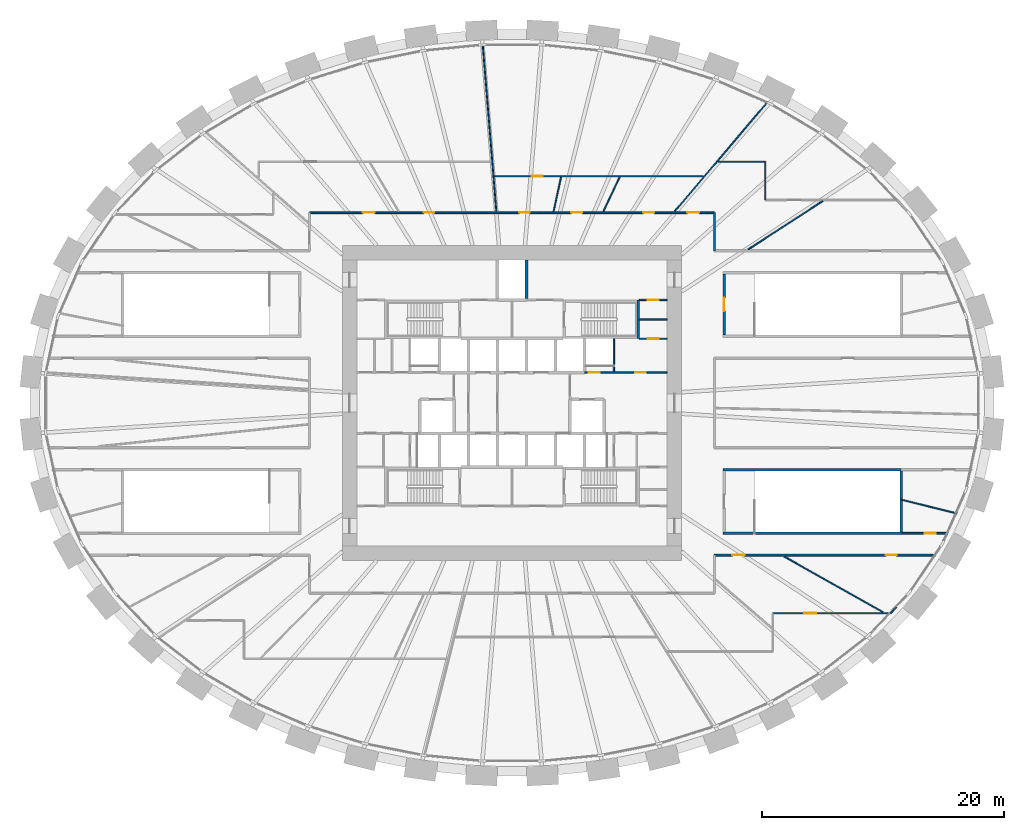
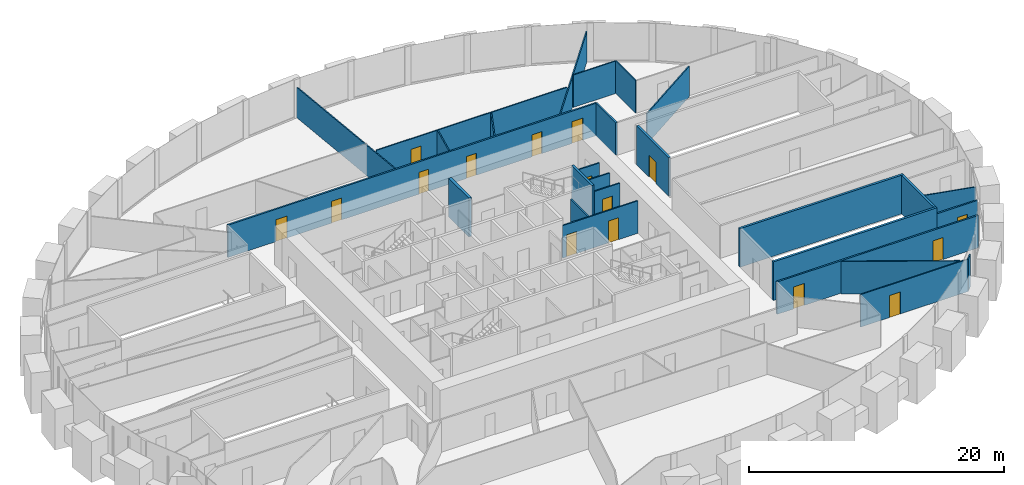
# One storey, part 10 of 12: 27 walls, 16 doors, 16 openings.
"""IFC4 building model written with IfcOpenShell, lengths in metres."""

import ifcopenshell
import ifcopenshell.guid

model = None  # the IFC model being written
_history = None  # IfcOwnerHistory: only IFC2X3 demands one
_inside = {}  # id of a spatial element -> (the spatial element, [elements in it])
_under = {}  # id of a project, library or spatial element -> (it, [spatial elements below it])
_declared = {}  # id of a project -> (the project, [libraries it declares])
_typed = {}  # id of a type object -> (the type object, [elements of that type])
_made_of = {}  # id of a material, layer set ... -> (it, [elements and type objects made of it])


def new_model(schema):
    """Start an empty IFC model of exactly this schema.

    Asked for "IFC4X3", IfcOpenShell would pick the latest addendum, in which some entities
    have other attributes; the version numbers below select the first issue.
    IFC2X3 requires an IfcOwnerHistory on every rooted entity: one is made here for all.
    """
    global model, _history
    if schema == "IFC4X3":
        model = ifcopenshell.file(schema_version=(4, 3, 0, 0))
    else:
        model = ifcopenshell.file(schema=schema)
    _inside.clear()
    _under.clear()
    _declared.clear()
    _typed.clear()
    _made_of.clear()
    _history = None
    if model.schema == "IFC2X3":
        org = make("IfcOrganization", Name="unknown")
        user = make(
            "IfcPersonAndOrganization",
            ThePerson=make("IfcPerson", FamilyName="unknown"),
            TheOrganization=org,
        )
        app = make(
            "IfcApplication",
            ApplicationDeveloper=org,
            Version="unknown",
            ApplicationFullName="unknown",
            ApplicationIdentifier="unknown",
        )
        _history = make(
            "IfcOwnerHistory",
            OwningUser=user,
            OwningApplication=app,
            ChangeAction="ADDED",
            CreationDate=0,
        )
    return model


def make(cls, **values):
    """One entity of the class cls with the attributes given. An attribute that is None is left unset."""
    return model.create_entity(
        cls, **{name: value for name, value in values.items() if value is not None}
    )


def rooted(cls, **values):
    """An entity with a GlobalId (a new one), such as an element, a storey or a relation."""
    return make(cls, GlobalId=ifcopenshell.guid.new(), OwnerHistory=_history, **values)


def si_unit(unit_type, name, prefix=None):
    """IfcSIUnit, for example si_unit("LENGTHUNIT", "METRE", prefix="MILLI")."""
    return make("IfcSIUnit", UnitType=unit_type, Prefix=prefix, Name=name)


def assignment(units):
    """IfcUnitAssignment: the units of a project."""
    return None if units is None else make("IfcUnitAssignment", Units=units)


def point(xyz):
    """IfcCartesianPoint."""
    return None if xyz is None else make("IfcCartesianPoint", Coordinates=xyz)


def direction(xyz):
    """IfcDirection."""
    return None if xyz is None else make("IfcDirection", DirectionRatios=xyz)


def frame(location, z_axis=None, x_axis=None):
    """IfcAxis2Placement3D, a coordinate frame: its origin and axes. An axis left out is left unset."""
    return make(
        "IfcAxis2Placement3D",
        Location=point(location),
        Axis=direction(z_axis),
        RefDirection=direction(x_axis),
    )


def frame_2d(location, x_axis=None):
    """IfcAxis2Placement2D, a coordinate frame in the plane: its origin and x axis."""
    return make(
        "IfcAxis2Placement2D", Location=point(location), RefDirection=direction(x_axis)
    )


def origin():
    """The frame at (0, 0, 0) with its axes left unset."""
    return frame((0.0, 0.0, 0.0))


def place(relative_to, where):
    """IfcLocalPlacement: puts the frame where relative to a parent placement (None: the world)."""
    return make(
        "IfcLocalPlacement", PlacementRelTo=relative_to, RelativePlacement=where
    )


def context(
    kind, dimensions, precision=None, world=None, true_north=None, identifier=None
):
    """IfcGeometricRepresentationContext, for example the 3D "Model" context."""
    return make(
        "IfcGeometricRepresentationContext",
        ContextIdentifier=identifier,
        ContextType=kind,
        CoordinateSpaceDimension=dimensions,
        Precision=precision,
        WorldCoordinateSystem=world,
        TrueNorth=true_north,
    )


def subcontext(parent, identifier, kind, view, scale=None):
    """IfcGeometricRepresentationSubContext, for example "Body" below "Model"."""
    return make(
        "IfcGeometricRepresentationSubContext",
        ContextIdentifier=identifier,
        ContextType=kind,
        ParentContext=parent,
        TargetScale=scale,
        TargetView=view,
    )


def project(units=None, contexts=None):
    """IfcProject with its units and contexts."""
    return rooted(
        "IfcProject",
        Name="project",
        RepresentationContexts=contexts,
        UnitsInContext=assignment(units),
    )


def spatial(cls, under=None, at=None, **own):
    """A site, building, storey or space (cls), placed at a placement, below another one or the project."""
    s = rooted(cls, ObjectPlacement=at, **own)
    if under is not None:
        _under.setdefault(under.id(), (under, []))[1].append(s)
    return s


def profile(cls, at=None, kind="AREA", **sizes):
    """A parametric profile (cls). Its sizes go by their IFC names, for example OverallWidth=200.0."""
    return make(cls, ProfileType=kind, Position=at, **sizes)


def rectangle(**sizes):
    """IfcRectangleProfileDef."""
    return profile("IfcRectangleProfileDef", **sizes)


def extrude(swept, where, along, depth):
    """IfcExtrudedAreaSolid: the profile swept, set in the frame where, extruded along a direction by depth."""
    return make(
        "IfcExtrudedAreaSolid",
        SweptArea=swept,
        Position=where,
        ExtrudedDirection=direction(along),
        Depth=depth,
    )


def shape(context_of_items, identifier, shape_type, items):
    """IfcShapeRepresentation: the items that make up one representation, for example the "Body"."""
    return make(
        "IfcShapeRepresentation",
        ContextOfItems=context_of_items,
        RepresentationIdentifier=identifier,
        RepresentationType=shape_type,
        Items=items,
    )


def source(mapping_origin, context_of_items, identifier, shape_type, items):
    """IfcRepresentationMap: a shape defined once, which mapped items show again and again."""
    return make(
        "IfcRepresentationMap",
        MappingOrigin=mapping_origin,
        MappedRepresentation=shape(context_of_items, identifier, shape_type, items),
    )


def transform(
    local_origin,
    x_axis=None,
    y_axis=None,
    z_axis=None,
    scale=None,
    scale2=None,
    scale3=None,
    uniform=True,
):
    """IfcCartesianTransformationOperator3D, or its non-uniform kind. x_axis, y_axis, z_axis: its Axis1, 2, 3."""
    if uniform:
        return make(
            "IfcCartesianTransformationOperator3D",
            Axis1=direction(x_axis),
            Axis2=direction(y_axis),
            LocalOrigin=point(local_origin),
            Scale=scale,
            Axis3=direction(z_axis),
        )
    return make(
        "IfcCartesianTransformationOperator3DnonUniform",
        Axis1=direction(x_axis),
        Axis2=direction(y_axis),
        LocalOrigin=point(local_origin),
        Scale=scale,
        Axis3=direction(z_axis),
        Scale2=scale2,
        Scale3=scale3,
    )


def mapped(mapping_source, mapping_target):
    """IfcMappedItem: shows the shape of a source again, moved by a transform."""
    return make(
        "IfcMappedItem", MappingSource=mapping_source, MappingTarget=mapping_target
    )


def material(Name=None, Category=None):
    """IfcMaterial."""
    return make("IfcMaterial", Name=Name, Category=Category)


def layer(
    of_material, thickness, ventilated=None, Name=None, Category=None, Priority=None
):
    """IfcMaterialLayer: one layer of a wall or slab, of a material (None: an air gap)."""
    return make(
        "IfcMaterialLayer",
        Material=of_material,
        LayerThickness=thickness,
        IsVentilated=ventilated,
        Name=Name,
        Category=Category,
        Priority=Priority,
    )


def layer_set(layers, Name=None):
    """IfcMaterialLayerSet."""
    return make("IfcMaterialLayerSet", MaterialLayers=layers, LayerSetName=Name)


def made_of(thing, what):
    """Note that an element or type object is made of a material, layer set ...; save() writes the relation."""
    if what is not None:
        _made_of.setdefault(what.id(), (what, []))[1].append(thing)
    return thing


def type_object(cls, material=None, **own):
    """A type object (cls), such as IfcWallType, which elements share."""
    return made_of(rooted(cls, **own), material)


def element(
    cls,
    number,
    at=None,
    inside=None,
    cuts=None,
    type_object=None,
    material=None,
    context=None,
    identifier="Body",
    shape_type=None,
    held_by="IfcProductDefinitionShape",
    body=None,
    shapes=None,
    **own,
):
    """One element of the class cls, such as IfcWall. Its Tag is "e" and its number.

    at: its placement. inside: the storey or other place that contains it. cuts: it is an
    opening in that element (IfcRelVoidsElement). A single representation is given by context,
    identifier, shape_type and body (its items); several are given by shapes. held_by: the class
    of the entity that holds the representations. save() writes the other relations.
    """
    e = rooted(cls, Tag="e%d" % number, ObjectPlacement=at, **own)
    if body is not None:
        shapes = [shape(context, identifier, shape_type, body)]
    if shapes is not None:
        e.Representation = make(held_by, Representations=shapes)
    if inside is not None:
        _inside.setdefault(inside.id(), (inside, []))[1].append(e)
    if cuts is not None:
        rooted(
            "IfcRelVoidsElement", RelatingBuildingElement=cuts, RelatedOpeningElement=e
        )
    if type_object is not None:
        _typed.setdefault(type_object.id(), (type_object, []))[1].append(e)
    return made_of(e, material)


def fill(opening, filler):
    """IfcRelFillsElement: the door or window that sits in an opening."""
    return rooted(
        "IfcRelFillsElement",
        RelatingOpeningElement=opening,
        RelatedBuildingElement=filler,
    )


def aggregate(whole, parts):
    """IfcRelAggregates: a whole, such as a stair, and the parts it consists of."""
    return rooted("IfcRelAggregates", RelatingObject=whole, RelatedObjects=parts)


def save(model, path):
    """Write the relations noted so far, then the file.

    IfcRelAggregates (storeys below a building ...), IfcRelContainedInSpatialStructure (elements
    in a storey), IfcRelDefinesByType, IfcRelAssociatesMaterial and IfcRelDeclares: one each for
    every whole, place, type object, material and project.
    """
    for whole, parts in _under.values():
        aggregate(whole, parts)
    for where, things in _inside.values():
        rooted(
            "IfcRelContainedInSpatialStructure",
            RelatedElements=things,
            RelatingStructure=where,
        )
    for kind, things in _typed.values():
        rooted("IfcRelDefinesByType", RelatedObjects=things, RelatingType=kind)
    for what, things in _made_of.values():
        rooted("IfcRelAssociatesMaterial", RelatedObjects=things, RelatingMaterial=what)
    for by, libraries in _declared.values():
        rooted("IfcRelDeclares", RelatingContext=by, RelatedDefinitions=libraries)
    model.write(path)


model = new_model("IFC4")

# Units and contexts
model_context = context("Model", 3, precision=1e-05, world=origin(), true_north=direction((0.0, 1.0)))
body_context = subcontext(model_context, "Body", "Model", "MODEL_VIEW")
ifc_project = project(units=[si_unit("LENGTHUNIT", "METRE"), si_unit("AREAUNIT", "SQUARE_METRE"), si_unit("VOLUMEUNIT", "CUBIC_METRE"), si_unit("PLANEANGLEUNIT", "RADIAN"), si_unit("MASSUNIT", "GRAM", prefix="KILO")], contexts=[model_context])

# Site, building, storey
site_placement = place(None, origin())
site = spatial("IfcSite", under=ifc_project, at=site_placement, CompositionType="ELEMENT")
building_placement = place(site_placement, origin())
building = spatial("IfcBuilding", under=site, at=building_placement, Name="Embergate Tower", CompositionType="ELEMENT")
storey_placement = place(building_placement, frame((0.0, 0.0, 38.0)))
storey = spatial("IfcBuildingStorey", under=building, at=storey_placement, Name="L05", CompositionType="ELEMENT", Elevation=38.0)

# Wall, openings, doors
ifc_material_1 = material(Name="Corridor wall dry-lined 150")
ifc_layer_1 = layer(ifc_material_1, 0.14990234375)
ifc_layer_set_1 = layer_set([ifc_layer_1], Name="Corridor wall dry-lined 150")
wall_type_1 = type_object("IfcWallType", Name="Corridor wall dry-lined 150", PredefinedType="PARTITIONING", material=ifc_layer_set_1)
shared_shape_1 = source(origin(), body_context, "Body", "SweptSolid", [
    extrude(rectangle(XDim=33.39990234375, YDim=0.14990234375, at=frame_2d((16.699951171875, 0.0))), origin(), (0.0, 0.0, 1.0), 3.10009765625),
])
wall_1_placement = place(storey_placement, frame((-16.699951171875, 15.699951171875, 0.0), z_axis=(0.0, 0.0, 1.0), x_axis=(1.0, 0.0, 0.0)))
wall_1 = element("IfcWall", 1, at=wall_1_placement, inside=storey, type_object=wall_type_1, Name="IP-2 wall", PredefinedType="PARTITIONING", context=body_context, shape_type="MappedRepresentation", body=[
    mapped(shared_shape_1, transform((0.0, 0.0, 0.0))),
])
shared_shape_2 = source(origin(), body_context, "Body", "SweptSolid", [
    extrude(rectangle(XDim=1.0, YDim=2.10009765625, at=frame_2d((0.5, 1.050048828125))), frame((0.0, 0.0849609375, 0.0), z_axis=(0.0, -1.0, 0.0), x_axis=(1.0, 0.0, 0.0)), (0.0, 0.0, 1.0), 0.169921875),
])
opening_1_placement = place(wall_1_placement, frame((31.14404296875, 0.0, 0.0)))
opening_1 = element("IfcOpeningElement", 2, at=opening_1_placement, cuts=wall_1, Name="Opening ID-2", PredefinedType="OPENING", context=body_context, shape_type="MappedRepresentation", body=[
    mapped(shared_shape_2, transform((0.0, 0.0, 0.0))),
])
shared_shape_3 = source(origin(), body_context, "Body", "SweptSolid", [
    extrude(rectangle(XDim=0.89990234375, YDim=2.10009765625, at=frame_2d((0.449951171875, 1.050048828125))), frame((0.0, 0.0849609375, 0.0), z_axis=(0.0, -1.0, 0.0), x_axis=(1.0, 0.0, 0.0)), (0.0, 0.0, 1.0), 0.169921875),
])
opening_2_placement = place(wall_1_placement, frame((27.527099609375, 0.0, 0.0)))
opening_2 = element("IfcOpeningElement", 3, at=opening_2_placement, cuts=wall_1, Name="Opening IF-1c", PredefinedType="OPENING", context=body_context, shape_type="MappedRepresentation", body=[
    mapped(shared_shape_3, transform((0.0, 0.0, 0.0))),
])
opening_3_placement = place(wall_1_placement, frame((21.595947265625, 0.0, 0.0)))
opening_3 = element("IfcOpeningElement", 4, at=opening_3_placement, cuts=wall_1, Name="Opening IF-1c", PredefinedType="OPENING", context=body_context, shape_type="MappedRepresentation", body=[
    mapped(shared_shape_3, transform((0.0, 0.0, 0.0))),
])
opening_4_placement = place(wall_1_placement, frame((17.281982421875, 0.0, 0.0)))
opening_4 = element("IfcOpeningElement", 5, at=opening_4_placement, cuts=wall_1, Name="Opening IF-1c", PredefinedType="OPENING", context=body_context, shape_type="MappedRepresentation", body=[
    mapped(shared_shape_3, transform((0.0, 0.0, 0.0))),
])
opening_5_placement = place(wall_1_placement, frame((9.403076171875, 0.0, 0.0)))
opening_5 = element("IfcOpeningElement", 6, at=opening_5_placement, cuts=wall_1, Name="Opening IF-1c", PredefinedType="OPENING", context=body_context, shape_type="MappedRepresentation", body=[
    mapped(shared_shape_3, transform((0.0, 0.0, 0.0))),
])
opening_6_placement = place(wall_1_placement, frame((4.367919921875, 0.0, 0.0)))
opening_6 = element("IfcOpeningElement", 7, at=opening_6_placement, cuts=wall_1, Name="Opening ID-2", PredefinedType="OPENING", context=body_context, shape_type="MappedRepresentation", body=[
    mapped(shared_shape_2, transform((0.0, 0.0, 0.0))),
])
ifc_material_2 = material(Name="Escape fire door 900")
door_type_1 = type_object("IfcDoorType", Name="Escape fire door 900", OperationType="SINGLE_SWING_LEFT", PredefinedType="DOOR", material=ifc_material_2)
shared_shape_4 = source(origin(), body_context, "Body", "SweptSolid", [
    extrude(rectangle(XDim=0.89990234375, YDim=2.10009765625, at=frame_2d((0.449951171875, 1.050048828125))), frame((0.0, 0.02490234375, 0.0), z_axis=(0.0, -1.0, 0.0), x_axis=(1.0, 0.0, 0.0)), (0.0, 0.0, 1.0), 0.050048828125),
])
door_1_placement = place(opening_2_placement, origin())
door_1 = element("IfcDoor", 8, at=door_1_placement, inside=storey, type_object=door_type_1, Name="IF-1 door", OperationType="SINGLE_SWING_LEFT", OverallHeight=2.10009765625, OverallWidth=0.89990234375, PredefinedType="DOOR", context=body_context, shape_type="MappedRepresentation", body=[
    mapped(shared_shape_4, transform((0.0, 0.0, 0.0))),
])
fill(opening_2, door_1)
door_2_placement = place(opening_3_placement, origin())
door_2 = element("IfcDoor", 9, at=door_2_placement, inside=storey, type_object=door_type_1, Name="IF-1 door", OperationType="SINGLE_SWING_RIGHT", OverallHeight=2.10009765625, OverallWidth=0.89990234375, PredefinedType="DOOR", context=body_context, shape_type="MappedRepresentation", body=[
    mapped(shared_shape_4, transform((0.0, 0.0, 0.0))),
])
fill(opening_3, door_2)
door_3_placement = place(opening_4_placement, origin())
door_3 = element("IfcDoor", 10, at=door_3_placement, inside=storey, type_object=door_type_1, Name="IF-1 door", OperationType="SINGLE_SWING_RIGHT", OverallHeight=2.10009765625, OverallWidth=0.89990234375, PredefinedType="DOOR", context=body_context, shape_type="MappedRepresentation", body=[
    mapped(shared_shape_4, transform((0.0, 0.0, 0.0))),
])
fill(opening_4, door_3)
door_4_placement = place(opening_5_placement, origin())
door_4 = element("IfcDoor", 11, at=door_4_placement, inside=storey, type_object=door_type_1, Name="IF-1 door", OperationType="SINGLE_SWING_RIGHT", OverallHeight=2.10009765625, OverallWidth=0.89990234375, PredefinedType="DOOR", context=body_context, shape_type="MappedRepresentation", body=[
    mapped(shared_shape_4, transform((0.0, 0.0, 0.0))),
])
fill(opening_5, door_4)
ifc_material_3 = material(Name="Interior door 1000")
door_type_2 = type_object("IfcDoorType", Name="Interior door 1000", OperationType="SINGLE_SWING_LEFT", PredefinedType="DOOR", material=ifc_material_3)
shared_shape_5 = source(origin(), body_context, "Body", "SweptSolid", [
    extrude(rectangle(XDim=1.0, YDim=2.10009765625, at=frame_2d((0.5, 1.050048828125))), frame((0.0, 0.02490234375, 0.0), z_axis=(0.0, -1.0, 0.0), x_axis=(1.0, 0.0, 0.0)), (0.0, 0.0, 1.0), 0.050048828125),
])
door_5_placement = place(opening_1_placement, origin())
door_5 = element("IfcDoor", 12, at=door_5_placement, inside=storey, type_object=door_type_2, Name="ID-2 door", OperationType="SINGLE_SWING_RIGHT", OverallHeight=2.10009765625, OverallWidth=1.0, PredefinedType="DOOR", context=body_context, shape_type="MappedRepresentation", body=[
    mapped(shared_shape_5, transform((0.0, 0.0, 0.0))),
])
fill(opening_1, door_5)
door_6_placement = place(opening_6_placement, origin())
door_6 = element("IfcDoor", 13, at=door_6_placement, inside=storey, type_object=door_type_2, Name="ID-2 door", OperationType="SINGLE_SWING_LEFT", OverallHeight=2.10009765625, OverallWidth=1.0, PredefinedType="DOOR", context=body_context, shape_type="MappedRepresentation", body=[
    mapped(shared_shape_5, transform((0.0, 0.0, 0.0))),
])
fill(opening_6, door_6)

# Wall
shared_shape_6 = source(origin(), body_context, "Body", "SweptSolid", [
    extrude(rectangle(XDim=3.14990234375, YDim=0.14990234375, at=frame_2d((1.574951171875, 0.0))), origin(), (0.0, 0.0, 1.0), 3.10009765625),
])
wall_2_placement = place(storey_placement, frame((16.699951171875, 15.699951171875, 0.0), z_axis=(0.0, 0.0, 1.0), x_axis=(0.0, -1.0, 0.0)))
element("IfcWall", 14, at=wall_2_placement, inside=storey, type_object=wall_type_1, Name="IP-2 wall", PredefinedType="PARTITIONING", context=body_context, shape_type="MappedRepresentation", body=[
    mapped(shared_shape_6, transform((0.0, 0.0, 0.0))),
])

# Wall, openings, doors
shared_shape_7 = source(origin(), body_context, "Body", "SweptSolid", [
    extrude(rectangle(XDim=18.233154296875, YDim=0.14990234375, at=frame_2d((9.11669921875, 0.0))), origin(), (0.0, 0.0, 1.0), 3.10009765625),
])
wall_3_placement = place(storey_placement, frame((34.93310546875, -12.550048828125, 0.0), z_axis=(0.0, 0.0, 1.0), x_axis=(-1.0, 0.0, 0.0)))
wall_3 = element("IfcWall", 15, at=wall_3_placement, inside=storey, type_object=wall_type_1, Name="IP-2 wall", PredefinedType="PARTITIONING", context=body_context, shape_type="MappedRepresentation", body=[
    mapped(shared_shape_7, transform((0.0, 0.0, 0.0))),
])
opening_7_placement = place(wall_3_placement, frame((15.74755859375, 0.0, 0.0)))
opening_7 = element("IfcOpeningElement", 16, at=opening_7_placement, cuts=wall_3, Name="Opening ID-2", PredefinedType="OPENING", context=body_context, shape_type="MappedRepresentation", body=[
    mapped(shared_shape_2, transform((0.0, 0.0, 0.0))),
])
opening_8_placement = place(wall_3_placement, frame((3.20751953125, 0.0, 0.0)))
opening_8 = element("IfcOpeningElement", 17, at=opening_8_placement, cuts=wall_3, Name="Opening IF-1c", PredefinedType="OPENING", context=body_context, shape_type="MappedRepresentation", body=[
    mapped(shared_shape_3, transform((0.0, 0.0, 0.0))),
])
door_7_placement = place(opening_8_placement, origin())
door_7 = element("IfcDoor", 18, at=door_7_placement, inside=storey, type_object=door_type_1, Name="IF-1 door", OperationType="SINGLE_SWING_RIGHT", OverallHeight=2.10009765625, OverallWidth=0.89990234375, PredefinedType="DOOR", context=body_context, shape_type="MappedRepresentation", body=[
    mapped(shared_shape_4, transform((0.0, 0.0, 0.0))),
])
fill(opening_8, door_7)
door_8_placement = place(opening_7_placement, origin())
door_8 = element("IfcDoor", 19, at=door_8_placement, inside=storey, type_object=door_type_2, Name="ID-2 door", OperationType="SINGLE_SWING_LEFT", OverallHeight=2.10009765625, OverallWidth=1.0, PredefinedType="DOOR", context=body_context, shape_type="MappedRepresentation", body=[
    mapped(shared_shape_5, transform((0.0, 0.0, 0.0))),
])
fill(opening_7, door_8)

# Wall, opening, door
shared_shape_8 = source(origin(), body_context, "Body", "SweptSolid", [
    extrude(rectangle(XDim=3.764892578125, YDim=0.14990234375, at=frame_2d((1.88232421875, 0.0))), origin(), (0.0, 0.0, 1.0), 3.10009765625),
])
wall_4_placement = place(storey_placement, frame((32.173095703125, -10.75, 0.0), z_axis=(0.0, 0.0, 1.0), x_axis=(1.0, 0.0, 0.0)))
wall_4 = element("IfcWall", 20, at=wall_4_placement, inside=storey, type_object=wall_type_1, Name="IP-2 wall", PredefinedType="PARTITIONING", context=body_context, shape_type="MappedRepresentation", body=[
    mapped(shared_shape_8, transform((0.0, 0.0, 0.0))),
])
opening_9_placement = place(wall_4_placement, frame((1.884521484375, 0.0, 0.0)))
opening_9 = element("IfcOpeningElement", 21, at=opening_9_placement, cuts=wall_4, Name="Opening IF-1c", PredefinedType="OPENING", context=body_context, shape_type="MappedRepresentation", body=[
    mapped(shared_shape_3, transform((0.0, 0.0, 0.0))),
])
door_9_placement = place(opening_9_placement, origin())
door_9 = element("IfcDoor", 22, at=door_9_placement, inside=storey, type_object=door_type_1, Name="IF-1 door", OperationType="SINGLE_SWING_LEFT", OverallHeight=2.10009765625, OverallWidth=0.89990234375, PredefinedType="DOOR", context=body_context, shape_type="MappedRepresentation", body=[
    mapped(shared_shape_4, transform((0.0, 0.0, 0.0))),
])
fill(opening_9, door_9)

# Walls
ifc_material_4 = material(Name="Partition dry-lined 100")
ifc_layer_2 = layer(ifc_material_4, 0.10009765625)
ifc_layer_set_2 = layer_set([ifc_layer_2], Name="Partition dry-lined 100")
wall_type_2 = type_object("IfcWallType", Name="Partition dry-lined 100", PredefinedType="PARTITIONING", material=ifc_layer_set_2)
shared_shape_9 = source(origin(), body_context, "Body", "SweptSolid", [
    extrude(rectangle(XDim=3.14990234375, YDim=0.10009765625, at=frame_2d((1.574951171875, 0.0))), origin(), (0.0, 0.0, 1.0), 3.10009765625),
])
wall_5_placement = place(storey_placement, frame((20.89990234375, 19.89990234375, 0.0), z_axis=(0.0, 0.0, 1.0), x_axis=(0.0, -1.0, 0.0)))
element("IfcWall", 23, at=wall_5_placement, inside=storey, type_object=wall_type_2, Name="IP-1 wall", PredefinedType="PARTITIONING", context=body_context, shape_type="MappedRepresentation", body=[
    mapped(shared_shape_9, transform((0.0, 0.0, 0.0))),
])
shared_shape_10 = source(origin(), body_context, "Body", "SweptSolid", [
    extrude(rectangle(XDim=9.337890625, YDim=0.10009765625, at=frame_2d((4.6689453125, 0.0))), origin(), (0.0, 0.0, 1.0), 3.10009765625),
])
wall_6_placement = place(storey_placement, frame((22.4599609375, -12.66796875, 0.0), z_axis=(0.0, 0.0, 1.0), x_axis=(0.870966705526, -0.491342037551, 0.0)))
element("IfcWall", 24, at=wall_6_placement, inside=storey, type_object=wall_type_2, Name="IP-1 wall", PredefinedType="PARTITIONING", context=body_context, shape_type="MappedRepresentation", body=[
    mapped(shared_shape_10, transform((0.0, 0.0, 0.0))),
])

# Wall, opening, door
shared_shape_11 = source(origin(), body_context, "Body", "SweptSolid", [
    extrude(rectangle(XDim=9.741943359375, YDim=0.10009765625, at=frame_2d((4.87109375, 0.0))), origin(), (0.0, 0.0, 1.0), 3.10009765625),
])
wall_7_placement = place(storey_placement, frame((31.241943359375, -17.35009765625, 0.0), z_axis=(0.0, 0.0, 1.0), x_axis=(-1.0, 0.0, 0.0)))
wall_7 = element("IfcWall", 25, at=wall_7_placement, inside=storey, type_object=wall_type_2, Name="IP-1 wall", PredefinedType="PARTITIONING", context=body_context, shape_type="MappedRepresentation", body=[
    mapped(shared_shape_11, transform((0.0, 0.0, 0.0))),
])
shared_shape_12 = source(origin(), body_context, "Body", "SweptSolid", [
    extrude(rectangle(XDim=1.0, YDim=2.10009765625, at=frame_2d((0.5, 1.050048828125))), frame((0.0, 0.06005859375, 0.0), z_axis=(0.0, -1.0, 0.0), x_axis=(1.0, 0.0, 0.0)), (0.0, 0.0, 1.0), 0.1201171875),
])
opening_10_placement = place(wall_7_placement, frame((6.14453125, 0.0, 0.0)))
opening_10 = element("IfcOpeningElement", 26, at=opening_10_placement, cuts=wall_7, Name="Opening ID-2", PredefinedType="OPENING", context=body_context, shape_type="MappedRepresentation", body=[
    mapped(shared_shape_12, transform((0.0, 0.0, 0.0))),
])
door_10_placement = place(opening_10_placement, origin())
door_10 = element("IfcDoor", 27, at=door_10_placement, inside=storey, type_object=door_type_2, Name="ID-2 door", OperationType="SINGLE_SWING_RIGHT", OverallHeight=2.10009765625, OverallWidth=1.0, PredefinedType="DOOR", context=body_context, shape_type="MappedRepresentation", body=[
    mapped(shared_shape_5, transform((0.0, 0.0, 0.0))),
])
fill(opening_10, door_10)

# Walls
shared_shape_13 = source(origin(), body_context, "Body", "SweptSolid", [
    extrude(rectangle(XDim=0.6650390625, YDim=0.10009765625, at=frame_2d((0.33251953125, 0.0))), origin(), (0.0, 0.0, 1.0), 3.10009765625),
])
wall_8_placement = place(storey_placement, frame((31.700927734375, -16.868896484375, 0.0), z_axis=(0.0, 0.0, 1.0), x_axis=(-0.690205014141, -0.723613873868, 0.0)))
element("IfcWall", 28, at=wall_8_placement, inside=storey, type_object=wall_type_2, Name="IP-1 wall", PredefinedType="PARTITIONING", context=body_context, shape_type="MappedRepresentation", body=[
    mapped(shared_shape_13, transform((0.0, 0.0, 0.0))),
])
shared_shape_14 = source(origin(), body_context, "Body", "SweptSolid", [
    extrude(rectangle(XDim=4.7197265625, YDim=0.10009765625, at=frame_2d((2.35986328125, 0.0))), origin(), (0.0, 0.0, 1.0), 3.10009765625),
])
wall_9_placement = place(storey_placement, frame((36.700927734375, -9.113037109375, 0.0), z_axis=(0.0, 0.0, 1.0), x_axis=(-0.970551881193, 0.240892187322, 0.0)))
element("IfcWall", 29, at=wall_9_placement, inside=storey, type_object=wall_type_2, Name="IP-1 wall", PredefinedType="PARTITIONING", context=body_context, shape_type="MappedRepresentation", body=[
    mapped(shared_shape_14, transform((0.0, 0.0, 0.0))),
])
shared_shape_15 = source(origin(), body_context, "Body", "SweptSolid", [
    extrude(rectangle(XDim=7.32470703125, YDim=0.10009765625, at=frame_2d((3.662353515625, 0.0))), origin(), (0.0, 0.0, 1.0), 2.89990234375),
])
wall_10_placement = place(storey_placement, frame((19.492919921875, 12.6669921875, 0.0), z_axis=(0.0, 0.0, 1.0), x_axis=(0.83853041744, 0.544854787101, 0.0)))
element("IfcWall", 30, at=wall_10_placement, inside=storey, type_object=wall_type_2, Name="IP-1 wall", PredefinedType="PARTITIONING", context=body_context, shape_type="MappedRepresentation", body=[
    mapped(shared_shape_15, transform((0.0, 0.0, 0.0))),
])
shared_shape_16 = source(origin(), body_context, "Body", "SweptSolid", [
    extrude(rectangle(XDim=3.89599609375, YDim=0.10009765625, at=frame_2d((1.947998046875, 0.0))), origin(), (0.0, 0.0, 1.0), 3.10009765625),
])
wall_11_placement = place(storey_placement, frame((17.00390625, 19.89990234375, 0.0), z_axis=(0.0, 0.0, 1.0), x_axis=(1.0, 0.0, 0.0)))
element("IfcWall", 31, at=wall_11_placement, inside=storey, type_object=wall_type_2, Name="IP-1 wall", PredefinedType="PARTITIONING", context=body_context, shape_type="MappedRepresentation", body=[
    mapped(shared_shape_16, transform((0.0, 0.0, 0.0))),
])
ifc_material_5 = material(Name="Partition dry-lined 100 wet")
ifc_layer_3 = layer(ifc_material_5, 0.10009765625)
ifc_layer_set_3 = layer_set([ifc_layer_3], Name="Partition dry-lined 100 wet")
wall_type_3 = type_object("IfcWallType", Name="Partition dry-lined 100 wet", PredefinedType="PLUMBINGWALL", material=ifc_layer_set_3)
shared_shape_17 = source(origin(), body_context, "Body", "SweptSolid", [
    extrude(rectangle(XDim=11.78857421875, YDim=0.10009765625, at=frame_2d((5.894287109375, 0.0))), origin(), (0.0, 0.0, 1.0), 2.89990234375),
])
wall_12_placement = place(storey_placement, frame((21.051025390625, 24.79296875, 0.0), z_axis=(0.0, 0.0, 1.0), x_axis=(-0.647252165833, -0.762275956478, 0.0)))
element("IfcWall", 32, at=wall_12_placement, inside=storey, type_object=wall_type_3, Name="IP-1 wall", PredefinedType="PLUMBINGWALL", context=body_context, shape_type="MappedRepresentation", body=[
    mapped(shared_shape_17, transform((0.0, 0.0, 0.0))),
])
shared_shape_18 = source(origin(), body_context, "Body", "SweptSolid", [
    extrude(rectangle(XDim=3.137451171875, YDim=0.10009765625, at=frame_2d((1.56884765625, 0.0))), origin(), (0.0, 0.0, 1.0), 3.10009765625),
])
wall_13_placement = place(storey_placement, frame((7.533935546875, 15.7958984375, 0.0), z_axis=(0.0, 0.0, 1.0), x_axis=(0.430326219074, 0.902673443266, 0.0)))
element("IfcWall", 33, at=wall_13_placement, inside=storey, type_object=wall_type_3, Name="IP-1 wall", PredefinedType="PLUMBINGWALL", context=body_context, shape_type="MappedRepresentation", body=[
    mapped(shared_shape_18, transform((0.0, 0.0, 0.0))),
])

# Wall, opening, door
shared_shape_19 = source(origin(), body_context, "Body", "SweptSolid", [
    extrude(rectangle(XDim=17.2470703125, YDim=0.10009765625, at=frame_2d((8.62353515625, 0.0))), origin(), (0.0, 0.0, 1.0), 3.10009765625),
])
wall_14_placement = place(storey_placement, frame((-1.47802734375, 18.699951171875, 0.0), z_axis=(0.0, 0.0, 1.0), x_axis=(1.0, 0.0, 0.0)))
wall_14 = element("IfcWall", 34, at=wall_14_placement, inside=storey, type_object=wall_type_3, Name="IP-1 wall", PredefinedType="PLUMBINGWALL", context=body_context, shape_type="MappedRepresentation", body=[
    mapped(shared_shape_19, transform((0.0, 0.0, 0.0))),
])
shared_shape_20 = source(origin(), body_context, "Body", "SweptSolid", [
    extrude(rectangle(XDim=0.89990234375, YDim=2.10009765625, at=frame_2d((0.449951171875, 1.050048828125))), frame((0.0, 0.06005859375, 0.0), z_axis=(0.0, -1.0, 0.0), x_axis=(1.0, 0.0, 0.0)), (0.0, 0.0, 1.0), 0.1201171875),
])
opening_11_placement = place(wall_14_placement, frame((3.113037109375, 0.0, 0.0)))
opening_11 = element("IfcOpeningElement", 35, at=opening_11_placement, cuts=wall_14, Name="Opening ID-1", PredefinedType="OPENING", context=body_context, shape_type="MappedRepresentation", body=[
    mapped(shared_shape_20, transform((0.0, 0.0, 0.0))),
])
ifc_material_6 = material(Name="Interior door 900")
door_type_3 = type_object("IfcDoorType", Name="Interior door 900", OperationType="SINGLE_SWING_LEFT", PredefinedType="DOOR", material=ifc_material_6)
door_11_placement = place(opening_11_placement, origin())
door_11 = element("IfcDoor", 36, at=door_11_placement, inside=storey, type_object=door_type_3, Name="ID-1 door", OperationType="SINGLE_SWING_RIGHT", OverallHeight=2.10009765625, OverallWidth=0.89990234375, PredefinedType="DOOR", context=body_context, shape_type="MappedRepresentation", body=[
    mapped(shared_shape_4, transform((0.0, 0.0, 0.0))),
])
fill(opening_11, door_11)

# Walls
shared_shape_21 = source(origin(), body_context, "Body", "SweptSolid", [
    extrude(rectangle(XDim=2.919677734375, YDim=0.10009765625, at=frame_2d((1.4599609375, 0.0))), origin(), (0.0, 0.0, 1.0), 3.10009765625),
])
wall_15_placement = place(storey_placement, frame((3.428955078125, 15.785888671875, 0.0), z_axis=(0.0, 0.0, 1.0), x_axis=(0.212394928292, 0.977183910242, 0.0)))
element("IfcWall", 37, at=wall_15_placement, inside=storey, type_object=wall_type_3, Name="IP-1 wall", PredefinedType="PLUMBINGWALL", context=body_context, shape_type="MappedRepresentation", body=[
    mapped(shared_shape_21, transform((0.0, 0.0, 0.0))),
])
shared_shape_22 = source(origin(), body_context, "Body", "SweptSolid", [
    extrude(rectangle(XDim=13.803955078125, YDim=0.10009765625, at=frame_2d((6.90185546875, 0.0))), origin(), (0.0, 0.0, 1.0), 2.89990234375),
])
wall_16_placement = place(storey_placement, frame((-2.4130859375, 29.532958984375, 0.0), z_axis=(0.0, 0.0, 1.0), x_axis=(0.081427983702, -0.996679227972, 0.0)))
element("IfcWall", 38, at=wall_16_placement, inside=storey, type_object=wall_type_3, Name="IP-1 wall", PredefinedType="PLUMBINGWALL", context=body_context, shape_type="MappedRepresentation", body=[
    mapped(shared_shape_22, transform((0.0, 0.0, 0.0))),
])

# Wall, openings, doors
ifc_material_7 = material(Name="Core partition blockwork 120")
ifc_layer_4 = layer(ifc_material_7, 0.1201171875)
ifc_layer_set_4 = layer_set([ifc_layer_4], Name="Core partition blockwork 120")
wall_type_4 = type_object("IfcWallType", Name="Core partition blockwork 120", PredefinedType="PARTITIONING", material=ifc_layer_set_4)
shared_shape_23 = source(origin(), body_context, "Body", "SweptSolid", [
    extrude(rectangle(XDim=6.800048828125, YDim=0.1201171875, at=frame_2d((3.39990234375, 0.0))), origin(), (0.0, 0.0, 1.0), 3.10009765625),
])
wall_17_placement = place(storey_placement, frame((6.0, 2.5, 0.0), z_axis=(0.0, 0.0, 1.0), x_axis=(1.0, 0.0, 0.0)))
wall_17 = element("IfcWall", 39, at=wall_17_placement, inside=storey, type_object=wall_type_4, Name="IP-3 wall", PredefinedType="PARTITIONING", context=body_context, shape_type="MappedRepresentation", body=[
    mapped(shared_shape_23, transform((0.0, 0.0, 0.0))),
])
shared_shape_24 = source(origin(), body_context, "Body", "SweptSolid", [
    extrude(rectangle(XDim=0.89990234375, YDim=2.10009765625, at=frame_2d((0.449951171875, 1.050048828125))), frame((0.0, 0.070068359375, 0.0), z_axis=(0.0, -1.0, 0.0), x_axis=(1.0, 0.0, 0.0)), (0.0, 0.0, 1.0), 0.14013671875),
])
opening_12_placement = place(wall_17_placement, frame((0.35009765625, 0.0, 0.0)))
opening_12 = element("IfcOpeningElement", 40, at=opening_12_placement, cuts=wall_17, Name="Opening ID-1", PredefinedType="OPENING", context=body_context, shape_type="MappedRepresentation", body=[
    mapped(shared_shape_24, transform((0.0, 0.0, 0.0))),
])
opening_13_placement = place(wall_17_placement, frame((4.14990234375, 0.0, 0.0)))
opening_13 = element("IfcOpeningElement", 41, at=opening_13_placement, cuts=wall_17, Name="Opening ID-1", PredefinedType="OPENING", context=body_context, shape_type="MappedRepresentation", body=[
    mapped(shared_shape_24, transform((0.0, 0.0, 0.0))),
])
door_12_placement = place(opening_12_placement, origin())
door_12 = element("IfcDoor", 42, at=door_12_placement, inside=storey, type_object=door_type_3, Name="ID-1 door", OperationType="SINGLE_SWING_LEFT", OverallHeight=2.10009765625, OverallWidth=0.89990234375, PredefinedType="DOOR", context=body_context, shape_type="MappedRepresentation", body=[
    mapped(shared_shape_4, transform((0.0, 0.0, 0.0))),
])
fill(opening_12, door_12)
door_13_placement = place(opening_13_placement, origin())
door_13 = element("IfcDoor", 43, at=door_13_placement, inside=storey, type_object=door_type_3, Name="ID-1 door", OperationType="SINGLE_SWING_LEFT", OverallHeight=2.10009765625, OverallWidth=0.89990234375, PredefinedType="DOOR", context=body_context, shape_type="MappedRepresentation", body=[
    mapped(shared_shape_4, transform((0.0, 0.0, 0.0))),
])
fill(opening_13, door_13)

# Walls
shared_shape_25 = source(origin(), body_context, "Body", "SweptSolid", [
    extrude(rectangle(XDim=2.739990234375, YDim=0.1201171875, at=frame_2d((1.3701171875, 0.0))), origin(), (0.0, 0.0, 1.0), 3.10009765625),
])
wall_18_placement = place(storey_placement, frame((8.39990234375, 2.56005859375, 0.0), z_axis=(0.0, 0.0, 1.0), x_axis=(0.0, 1.0, 0.0)))
element("IfcWall", 44, at=wall_18_placement, inside=storey, type_object=wall_type_4, Name="IP-3 wall", PredefinedType="PARTITIONING", context=body_context, shape_type="MappedRepresentation", body=[
    mapped(shared_shape_25, transform((0.0, 0.0, 0.0))),
])
ifc_material_8 = material(Name="Concrete C50", Category="concrete")
ifc_layer_5 = layer(ifc_material_8, 0.199951171875)
ifc_layer_set_5 = layer_set([ifc_layer_5], Name="Concrete C50")
wall_type_5 = type_object("IfcWallType", Name="Stair enclosure wall reinforced concrete 250", PredefinedType="SHEAR", material=ifc_layer_set_5)
shared_shape_26 = source(origin(), body_context, "Body", "SweptSolid", [
    extrude(rectangle(XDim=3.199951171875, YDim=0.199951171875, at=frame_2d((1.60009765625, 0.0))), origin(), (0.0, 0.0, 1.0), 3.699951171875),
])
wall_19_placement = place(storey_placement, frame((10.39990234375, 5.300048828125, 0.0), z_axis=(0.0, 0.0, 1.0), x_axis=(0.0, 1.0, 0.0)))
element("IfcWall", 45, at=wall_19_placement, inside=storey, type_object=wall_type_5, Name="SE-1 wall", PredefinedType="SHEAR", context=body_context, shape_type="MappedRepresentation", body=[
    mapped(shared_shape_26, transform((0.0, 0.0, 0.0))),
])
ifc_layer_6 = layer(ifc_material_8, 0.25)
ifc_layer_set_6 = layer_set([ifc_layer_6], Name="Concrete C50")
wall_type_6 = type_object("IfcWallType", Name="Hoistway wall reinforced concrete 250", PredefinedType="SHEAR", material=ifc_layer_set_6)
shared_shape_27 = source(origin(), body_context, "Body", "SweptSolid", [
    extrude(rectangle(XDim=3.175048828125, YDim=0.25, at=frame_2d((1.58740234375, 0.0))), origin(), (0.0, 0.0, 1.0), 3.699951171875),
])
wall_20_placement = place(storey_placement, frame((1.199951171875, 11.800048828125, 0.0), z_axis=(0.0, 0.0, 1.0), x_axis=(0.0, -1.0, 0.0)))
element("IfcWall", 46, at=wall_20_placement, inside=storey, type_object=wall_type_6, Name="HW-1 wall", PredefinedType="SHEAR", context=body_context, shape_type="MappedRepresentation", body=[
    mapped(shared_shape_27, transform((0.0, 0.0, 0.0))),
])

# Wall, opening, door
shared_shape_28 = source(origin(), body_context, "Body", "SweptSolid", [
    extrude(rectangle(XDim=2.300048828125, YDim=0.1201171875, at=frame_2d((1.14990234375, 0.0))), origin(), (0.0, 0.0, 1.0), 3.10009765625),
])
wall_21_placement = place(storey_placement, frame((10.5, 8.5, 0.0), z_axis=(0.0, 0.0, 1.0), x_axis=(1.0, 0.0, 0.0)))
wall_21 = element("IfcWall", 47, at=wall_21_placement, inside=storey, type_object=wall_type_4, Name="IP-3 wall", PredefinedType="PARTITIONING", context=body_context, shape_type="MappedRepresentation", body=[
    mapped(shared_shape_28, transform((0.0, 0.0, 0.0))),
])
opening_14_placement = place(wall_21_placement, frame((0.699951171875, 0.0, 0.0)))
opening_14 = element("IfcOpeningElement", 48, at=opening_14_placement, cuts=wall_21, Name="Opening ID-1", PredefinedType="OPENING", context=body_context, shape_type="MappedRepresentation", body=[
    mapped(shared_shape_24, transform((0.0, 0.0, 0.0))),
])
door_14_placement = place(opening_14_placement, origin())
door_14 = element("IfcDoor", 49, at=door_14_placement, inside=storey, type_object=door_type_3, Name="ID-1 door", OperationType="SINGLE_SWING_LEFT", OverallHeight=2.10009765625, OverallWidth=0.89990234375, PredefinedType="DOOR", context=body_context, shape_type="MappedRepresentation", body=[
    mapped(shared_shape_4, transform((0.0, 0.0, 0.0))),
])
fill(opening_14, door_14)

wall_22_placement = place(storey_placement, frame((12.800048828125, 5.300048828125, 0.0), z_axis=(0.0, 0.0, 1.0), x_axis=(-1.0, 0.0, 0.0)))
wall_22 = element("IfcWall", 50, at=wall_22_placement, inside=storey, type_object=wall_type_4, Name="IP-3 wall", PredefinedType="PARTITIONING", context=body_context, shape_type="MappedRepresentation", body=[
    mapped(shared_shape_28, transform((0.0, 0.0, 0.0))),
])
opening_15_placement = place(wall_22_placement, frame((0.699951171875, 0.0, 0.0)))
opening_15 = element("IfcOpeningElement", 51, at=opening_15_placement, cuts=wall_22, Name="Opening ID-1", PredefinedType="OPENING", context=body_context, shape_type="MappedRepresentation", body=[
    mapped(shared_shape_24, transform((0.0, 0.0, 0.0))),
])
door_15_placement = place(opening_15_placement, origin())
door_15 = element("IfcDoor", 52, at=door_15_placement, inside=storey, type_object=door_type_3, Name="ID-1 door", OperationType="SINGLE_SWING_LEFT", OverallHeight=2.10009765625, OverallWidth=0.89990234375, PredefinedType="DOOR", context=body_context, shape_type="MappedRepresentation", body=[
    mapped(shared_shape_4, transform((0.0, 0.0, 0.0))),
])
fill(opening_15, door_15)

# Wall
wall_23_placement = place(storey_placement, frame((12.800048828125, 6.89990234375, 0.0), z_axis=(0.0, 0.0, 1.0), x_axis=(-1.0, 0.0, 0.0)))
element("IfcWall", 53, at=wall_23_placement, inside=storey, type_object=wall_type_4, Name="IP-3 wall", PredefinedType="PARTITIONING", context=body_context, shape_type="MappedRepresentation", body=[
    mapped(shared_shape_28, transform((0.0, 0.0, 0.0))),
])

# Wall, opening, door
ifc_material_9 = material(Name="Concrete C40", Category="concrete")
ifc_layer_7 = layer(ifc_material_9, 0.199951171875)
ifc_layer_set_7 = layer_set([ifc_layer_7], Name="Concrete C40")
wall_type_7 = type_object("IfcWallType", Name="Stair enclosure wall RC 200", PredefinedType="STANDARD", material=ifc_layer_set_7)
shared_shape_29 = source(origin(), body_context, "Body", "SweptSolid", [
    extrude(rectangle(XDim=5.0498046875, YDim=0.199951171875, at=frame_2d((2.52490234375, 0.0))), origin(), (0.0, 0.0, 1.0), 3.699951171875),
])
wall_24_placement = place(storey_placement, frame((17.5, 5.60009765625, 0.0), z_axis=(0.0, 0.0, 1.0), x_axis=(0.0, 1.0, 0.0)))
wall_24 = element("IfcWall", 54, at=wall_24_placement, inside=storey, type_object=wall_type_7, Name="Stair wall 011", PredefinedType="STANDARD", context=body_context, shape_type="MappedRepresentation", body=[
    mapped(shared_shape_29, transform((0.0, 0.0, 0.0))),
])
shared_shape_30 = source(origin(), body_context, "Body", "SweptSolid", [
    extrude(rectangle(XDim=1.10009765625, YDim=2.10009765625, at=frame_2d((0.550048828125, 1.050048828125))), frame((0.0, 0.10986328125, 0.0), z_axis=(0.0, -1.0, 0.0), x_axis=(1.0, 0.0, 0.0)), (0.0, 0.0, 1.0), 0.219970703125),
])
opening_16_placement = place(wall_24_placement, frame((1.97509765625, 0.0, 0.0)))
opening_16 = element("IfcOpeningElement", 55, at=opening_16_placement, cuts=wall_24, Name="Opening DS-342", PredefinedType="OPENING", context=body_context, shape_type="MappedRepresentation", body=[
    mapped(shared_shape_30, transform((0.0, 0.0, 0.0))),
])
ifc_material_10 = material(Name="Steel fire door leaf", Category="steel")
door_type_4 = type_object("IfcDoorType", Name="Fire door class B 1100x2100", OperationType="SINGLE_SWING_LEFT", PredefinedType="DOOR", material=ifc_material_10)
shared_shape_31 = source(origin(), body_context, "Body", "SweptSolid", [
    extrude(rectangle(XDim=1.10009765625, YDim=2.10009765625, at=frame_2d((0.550048828125, 1.050048828125))), frame((0.0, 0.02490234375, 0.0), z_axis=(0.0, -1.0, 0.0), x_axis=(1.0, 0.0, 0.0)), (0.0, 0.0, 1.0), 0.050048828125),
])
door_16_placement = place(opening_16_placement, origin())
door_16 = element("IfcDoor", 56, at=door_16_placement, inside=storey, type_object=door_type_4, Name="Door to Exit stair enclosure", OperationType="SINGLE_SWING_LEFT", OverallHeight=2.10009765625, OverallWidth=1.10009765625, PredefinedType="DOOR", context=body_context, shape_type="MappedRepresentation", body=[
    mapped(shared_shape_31, transform((0.0, 0.0, 0.0))),
])
fill(opening_16, door_16)

# Walls
wall_25_placement = place(storey_placement, frame((32.1201171875, -5.60009765625, 0.0), z_axis=(0.0, 0.0, 1.0), x_axis=(0.0, -1.0, 0.0)))
element("IfcWall", 57, at=wall_25_placement, inside=storey, type_object=wall_type_7, Name="Stair wall 014", PredefinedType="STANDARD", context=body_context, shape_type="MappedRepresentation", body=[
    mapped(shared_shape_29, transform((0.0, 0.0, 0.0))),
])
shared_shape_32 = source(origin(), body_context, "Body", "SweptSolid", [
    extrude(rectangle(XDim=14.820068359375, YDim=0.199951171875, at=frame_2d((7.41015625, 0.0))), origin(), (0.0, 0.0, 1.0), 3.699951171875),
])
for number, where, z_axis, x_axis, name in (
    (58, (17.39990234375, -5.5, 0.0), (0.0, 0.0, 1.0), (1.0, 0.0, 0.0), "Stair wall 010"),
    (59, (32.219970703125, -10.75, 0.0), (0.0, 0.0, 1.0), (-1.0, 0.0, 0.0), "Stair wall 013"),
):
    element("IfcWall", number, at=place(storey_placement, frame(where, z_axis=z_axis, x_axis=x_axis)), inside=storey, type_object=wall_type_7, Name=name, PredefinedType="STANDARD", context=body_context, shape_type="MappedRepresentation", body=[
        mapped(shared_shape_32, transform((0.0, 0.0, 0.0))),
    ])

save(model, "model.ifc")
